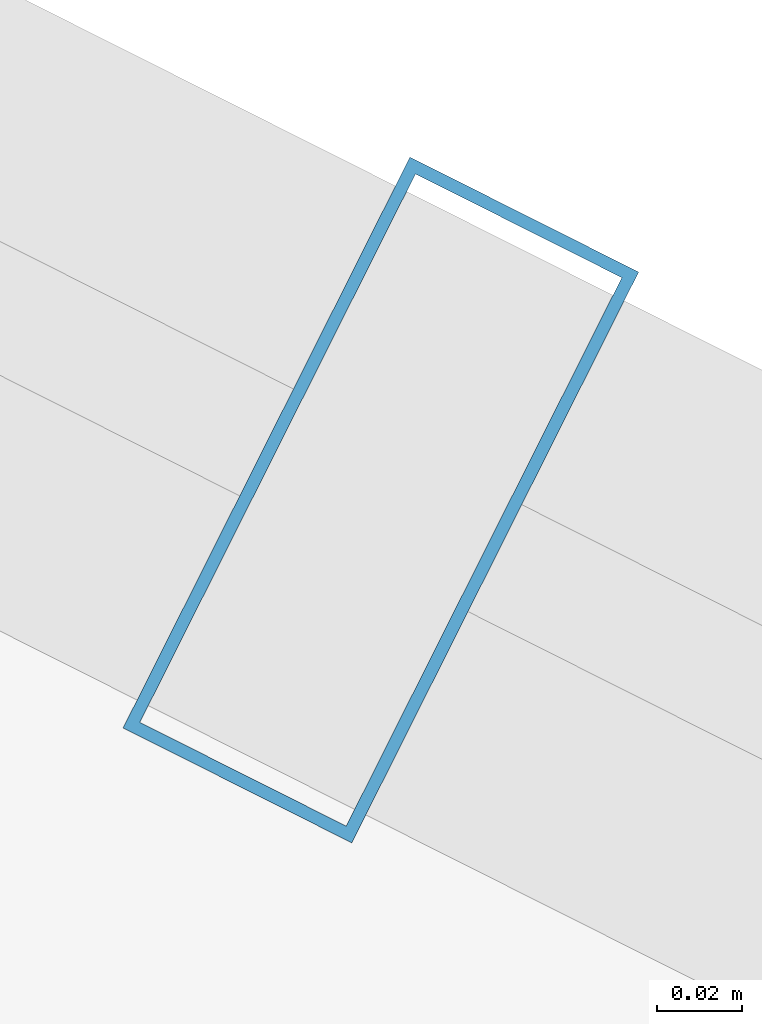
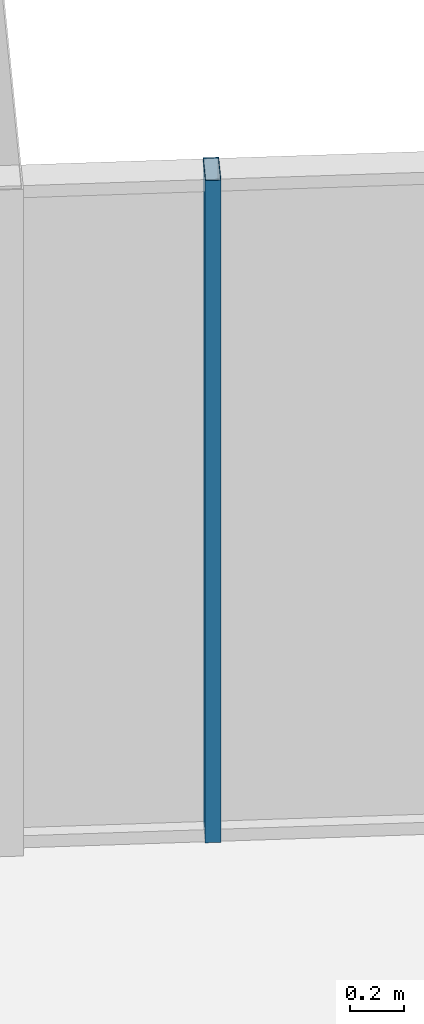
# One storey, part 27 of 33: 1 member, 1 element without a shape of its own.
"""IFC4 building model written with IfcOpenShell, lengths in metres."""

from ifc_helpers import new_model, si_unit, direction, frame, origin, origin_2d, place, context, subcontext, project, spatial, hollow_rectangle, extrude, source, transform, mapped, material, layer, layer_set, material_profile, profile_set, type_object, element, aggregate, save


model = new_model("IFC4")

# Units and contexts
model_context = context("Model", 3, precision=1e-05, world=origin(), true_north=direction((0.0, 1.0)))
body_context = subcontext(model_context, "Body", "Model", "MODEL_VIEW")
ifc_project = project(units=[si_unit("LENGTHUNIT", "METRE"), si_unit("AREAUNIT", "SQUARE_METRE"), si_unit("VOLUMEUNIT", "CUBIC_METRE"), si_unit("PLANEANGLEUNIT", "RADIAN"), si_unit("MASSUNIT", "GRAM", prefix="KILO")], contexts=[model_context])

# Site, building, storey
site_placement = place(None, origin())
site = spatial("IfcSite", under=ifc_project, at=site_placement, CompositionType="ELEMENT")
building_placement = place(site_placement, origin())
building = spatial("IfcBuilding", under=site, at=building_placement, Name="Veraguas Prism Commons", CompositionType="ELEMENT")
storey_placement = place(building_placement, frame((0.0, 0.0, 195.10009765625)))
storey = spatial("IfcBuildingStorey", under=building, at=storey_placement, Name="L55", CompositionType="ELEMENT", Elevation=195.10009765625)

# Curtain wall, member
ifc_material = material(Name="Anodised aluminium EN AW-6063 T6", Category="aluminium")
ifc_layer = layer(ifc_material, 0.14990234375, Name="Unitised Flush Curtain Wall Zone 3", Category="aluminium")
ifc_layer_set = layer_set([ifc_layer], Name="Anodised aluminium EN AW-6063 T6")
curtain_wall_type = type_object("IfcCurtainWallType", Name="Unitised Flush Curtain Wall Zone 3", PredefinedType="NOTDEFINED", material=ifc_layer_set)
curtain_wall_placement = place(storey_placement, origin())
curtain_wall = element("IfcCurtainWall", 1, at=curtain_wall_placement, inside=storey, type_object=curtain_wall_type, Name="Tower Facade Curtain Wall L55-F1", PredefinedType="NOTDEFINED")
ifc_material_profile = material_profile(ifc_material, hollow_rectangle(XDim=0.06005859375, YDim=0.14990234375, WallThickness=0.0029296875, at=origin_2d()), Name="AL60X150X3")
ifc_profile_set = profile_set([ifc_material_profile], Name="Anodised aluminium EN AW-6063 T6")
member_type = type_object("IfcMemberType", Name="Curtain Wall Mullion Upper AL 60x150x3", PredefinedType="MULLION", material=ifc_profile_set)
shared_shape = source(origin(), body_context, "Body", "SweptSolid", [
    extrude(hollow_rectangle(XDim=0.06005859375, YDim=0.14990234375, WallThickness=0.0029296875, at=origin_2d()), origin(), (0.0, 0.0, 1.0), 3.014892578125),
])
member_placement = place(storey_placement, frame((35.50439453125, 38.03955078125, 0.0), z_axis=(0.0, 0.0, 1.0), x_axis=(-0.893525824808, 0.449011804301, 0.0)))
member = element("IfcMember", 2, at=member_placement, type_object=member_type, Name="CW-Z3 Mullion 2", PredefinedType="MULLION", context=body_context, shape_type="MappedRepresentation", body=[
    mapped(shared_shape, transform((0.0, 0.0, 0.0), scale=1.0)),
])
aggregate(curtain_wall, [member])

save(model, "model.ifc")
